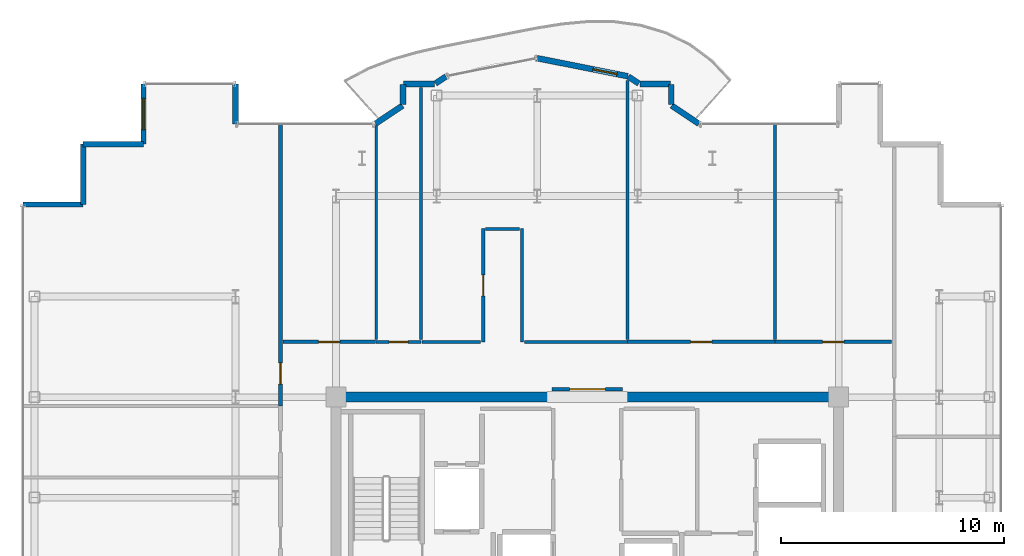
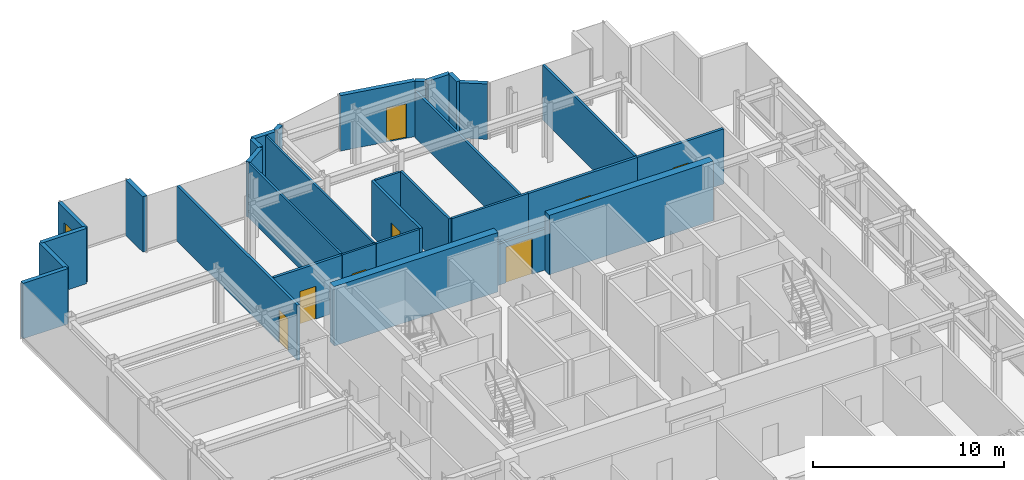
# One storey, part 16 of 18: 31 walls, 8 doors, 1 window, 9 openings.
"""IFC4 building model written with IfcOpenShell, lengths in metres."""

from ifc_helpers import new_model, si_unit, direction, frame, frame_2d, origin, place, context, subcontext, project, spatial, rectangle, extrude, source, transform, mapped, material, layer, layer_set, type_object, element, fill, save


model = new_model("IFC4")

# Units and contexts
model_context = context("Model", 3, precision=1e-05, world=origin(), true_north=direction((0.0, 1.0)))
body_context = subcontext(model_context, "Body", "Model", "MODEL_VIEW")
ifc_project = project(units=[si_unit("LENGTHUNIT", "METRE"), si_unit("AREAUNIT", "SQUARE_METRE"), si_unit("VOLUMEUNIT", "CUBIC_METRE"), si_unit("PLANEANGLEUNIT", "RADIAN"), si_unit("MASSUNIT", "GRAM", prefix="KILO")], contexts=[model_context])

# Site, building, storey
site_placement = place(None, origin())
site = spatial("IfcSite", under=ifc_project, at=site_placement, CompositionType="ELEMENT")
building_placement = place(site_placement, origin())
building = spatial("IfcBuilding", under=site, at=building_placement, Name="Nefas-Gora Pilgrimage Tower", CompositionType="ELEMENT")
storey_placement = place(building_placement, frame((0.0, 0.0, 302.60009765625)))
storey = spatial("IfcBuildingStorey", under=building, at=storey_placement, Name="L76", CompositionType="ELEMENT", Elevation=302.60009765625)

# Walls
ifc_material_1 = material(Name="Concrete C50/60", Category="concrete")
ifc_layer_1 = layer(ifc_material_1, 0.449951171875)
ifc_layer_set_1 = layer_set([ifc_layer_1], Name="Concrete C50/60")
wall_type_1 = type_object("IfcWallType", Name="SW-CORE-450", PredefinedType="SHEAR", material=ifc_layer_set_1)
shared_shape_1 = source(origin(), body_context, "Body", "SweptSolid", [
    extrude(rectangle(XDim=9.925048828125, YDim=0.449951171875, at=frame_2d((4.96240234375, 0.0))), origin(), (0.0, 0.0, 1.0), 3.7998046875),
])
for number, where, z_axis, x_axis, name in (
    (1, (-11.47509765625, 9.0, 0.0), (0.0, 0.0, 1.0), (1.0, 0.0, 0.0), "L76 Core Shear Wall N-West"),
    (2, (1.550048828125, 9.0, 0.0), (0.0, 0.0, 1.0), (1.0, 0.0, 0.0), "L76 Core Shear Wall N-East"),
):
    element("IfcWall", number, at=place(storey_placement, frame(where, z_axis=z_axis, x_axis=x_axis)), inside=storey, type_object=wall_type_1, Name=name, PredefinedType="SHEAR", context=body_context, shape_type="MappedRepresentation", body=[
        mapped(shared_shape_1, transform((0.0, 0.0, 0.0), x_axis=(1.0, 0.0, 0.0), y_axis=(0.0, 1.0, 0.0), z_axis=(0.0, 0.0, 1.0), scale=1.0)),
    ])
ifc_material_2 = material(Name="Precast concrete C40/50", Category="concrete")
ifc_layer_2 = layer(ifc_material_2, 0.260009765625)
ifc_layer_set_2 = layer_set([ifc_layer_2], Name="Precast concrete C40/50")
wall_type_2 = type_object("IfcWallType", Name="EW-PORTAL-260", PredefinedType="SOLIDWALL", material=ifc_layer_set_2)
shared_shape_2 = source(origin(), body_context, "Body", "SweptSolid", [
    extrude(rectangle(XDim=1.800048828125, YDim=0.260009765625, at=frame_2d((0.89990234375, 0.0))), origin(), (0.0, 0.0, 1.0), 3.5498046875),
])
wall_1_placement = place(storey_placement, frame((-15.75, 21.219970703125, 0.0), z_axis=(0.0, 0.0, 1.0), x_axis=(0.0, 1.0, 0.0)))
element("IfcWall", 3, at=wall_1_placement, inside=storey, type_object=wall_type_2, Name="L76 Lobe Shoulder Precast Spandrel Pier 16", PredefinedType="SOLIDWALL", context=body_context, shape_type="MappedRepresentation", body=[
    mapped(shared_shape_2, transform((0.0, 0.0, 0.0), x_axis=(1.0, 0.0, 0.0), y_axis=(0.0, 1.0, 0.0), z_axis=(0.0, 0.0, 1.0), scale=1.0)),
])

# Wall, opening, window
ifc_material_3 = material(Name="Precast concrete C45/55", Category="concrete")
ifc_layer_3 = layer(ifc_material_3, 0.239990234375)
ifc_layer_set_3 = layer_set([ifc_layer_3], Name="Precast concrete C45/55")
wall_type_3 = type_object("IfcWallType", Name="EW-SERR-240", PredefinedType="SHEAR", material=ifc_layer_set_3)
shared_shape_3 = source(origin(), body_context, "Body", "SweptSolid", [
    extrude(rectangle(XDim=2.699951171875, YDim=0.239990234375, at=frame_2d((1.35009765625, 0.0))), origin(), (0.0, 0.0, 1.0), 3.5498046875),
])
wall_2_placement = place(storey_placement, frame((-19.8701171875, 23.02001953125, 0.0), z_axis=(0.0, 0.0, 1.0), x_axis=(0.0, -1.0, 0.0)))
wall_2 = element("IfcWall", 4, at=wall_2_placement, inside=storey, type_object=wall_type_3, Name="L76 Serrated Corner Shear Pier Wall 17", PredefinedType="SHEAR", context=body_context, shape_type="MappedRepresentation", body=[
    mapped(shared_shape_3, transform((0.0, 0.0, 0.0), x_axis=(1.0, 0.0, 0.0), y_axis=(0.0, 1.0, 0.0), z_axis=(0.0, 0.0, 1.0), scale=1.0)),
])
opening_1_placement = place(wall_2_placement, frame((0.64990234375, 0.0, 0.85009765625)))
opening_1 = element("IfcOpeningElement", 5, at=opening_1_placement, cuts=wall_2, Name="Opening W-V2", PredefinedType="OPENING", context=body_context, shape_type="SweptSolid", body=[
    extrude(rectangle(XDim=1.39990234375, YDim=1.800048828125, at=frame_2d((0.699951171875, 0.89990234375))), frame((0.0, 0.1298828125, 0.0), z_axis=(0.0, -1.0, 0.0), x_axis=(1.0, 0.0, 0.0)), (0.0, 0.0, 1.0), 0.260009765625),
])
ifc_material_4 = material(Name="Dark ceramic-fritted operable aluminium-glass window", Category="aluminium")
window_type = type_object("IfcWindowType", Name="WIN-VENT-1400x1800", PartitioningType="SINGLE_PANEL", PredefinedType="WINDOW", material=ifc_material_4)
shared_shape_4 = source(origin(), body_context, "Body", "SweptSolid", [
    extrude(rectangle(XDim=1.39990234375, YDim=1.800048828125, at=frame_2d((0.699951171875, 0.89990234375))), frame((0.0, 0.030029296875, 0.0), z_axis=(0.0, -1.0, 0.0), x_axis=(1.0, 0.0, 0.0)), (0.0, 0.0, 1.0), 0.06005859375),
])
window_placement = place(opening_1_placement, origin())
window = element("IfcWindow", 6, at=window_placement, inside=storey, type_object=window_type, Name="L76 Operable Parallel-Outswing Window 17", OverallHeight=1.800048828125, OverallWidth=1.39990234375, PartitioningType="SINGLE_PANEL", PredefinedType="WINDOW", context=body_context, shape_type="MappedRepresentation", body=[
    mapped(shared_shape_4, transform((0.0, 0.0, 0.0), x_axis=(1.0, 0.0, 0.0), y_axis=(0.0, 1.0, 0.0), z_axis=(0.0, 0.0, 1.0), scale=1.0)),
])
fill(opening_1, window)

# Walls
for number, where, z_axis, x_axis, name in (
    (7, (-19.8701171875, 20.320068359375, 0.0), (0.0, 0.0, 1.0), (-1.0, 0.0, 0.0), "L76 Serrated Corner Shear Pier Wall 18"),
    (8, (-22.570068359375, 20.320068359375, 0.0), (0.0, 0.0, 1.0), (0.0, -1.0, 0.0), "L76 Serrated Corner Shear Pier Wall 19"),
    (9, (-22.570068359375, 17.6201171875, 0.0), (0.0, 0.0, 1.0), (-1.0, 0.0, 0.0), "L76 Serrated Corner Shear Pier Wall 20"),
):
    element("IfcWall", number, at=place(storey_placement, frame(where, z_axis=z_axis, x_axis=x_axis)), inside=storey, type_object=wall_type_3, Name=name, PredefinedType="SHEAR", context=body_context, shape_type="MappedRepresentation", body=[
        mapped(shared_shape_3, transform((0.0, 0.0, 0.0), x_axis=(1.0, 0.0, 0.0), y_axis=(0.0, 1.0, 0.0), z_axis=(0.0, 0.0, 1.0), scale=1.0)),
    ])
shared_shape_5 = source(origin(), body_context, "Body", "SweptSolid", [
    extrude(rectangle(XDim=1.468994140625, YDim=0.260009765625, at=frame_2d((0.734375, 0.0))), origin(), (0.0, 0.0, 1.0), 3.5498046875),
])
for number, where, z_axis, x_axis, name in (
    (10, (4.99462890625, 21.235595703125, 0.0), (0.0, 0.0, 1.0), (-0.831461760506, 0.555581983884, 0.0), "L76 Lobe Shoulder Precast Spandrel Pier 7"),
    (11, (-8.273193359375, 22.0517578125, 0.0), (0.0, 0.0, 1.0), (-0.831461760506, -0.555581983884, 0.0), "L76 Lobe Shoulder Precast Spandrel Pier 15"),
):
    element("IfcWall", number, at=place(storey_placement, frame(where, z_axis=z_axis, x_axis=x_axis)), inside=storey, type_object=wall_type_2, Name=name, PredefinedType="SOLIDWALL", context=body_context, shape_type="MappedRepresentation", body=[
        mapped(shared_shape_5, transform((0.0, 0.0, 0.0), x_axis=(1.0, 0.0, 0.0), y_axis=(0.0, 1.0, 0.0), z_axis=(0.0, 0.0, 1.0), scale=1.0)),
    ])
shared_shape_6 = source(origin(), body_context, "Body", "SweptSolid", [
    extrude(rectangle(XDim=0.896728515625, YDim=0.260009765625, at=frame_2d((0.4482421875, 0.0))), origin(), (0.0, 0.0, 1.0), 3.5498046875),
])
for number, where, z_axis, x_axis, name in (
    (12, (3.75, 22.09521484375, 0.0), (0.0, 0.0, 1.0), (0.0, 1.0, 0.0), "L76 Lobe Shoulder Precast Spandrel Pier 8"),
    (13, (-8.25, 22.991943359375, 0.0), (0.0, 0.0, 1.0), (0.0, -1.0, 0.0), "L76 Lobe Shoulder Precast Spandrel Pier 14"),
):
    element("IfcWall", number, at=place(storey_placement, frame(where, z_axis=z_axis, x_axis=x_axis)), inside=storey, type_object=wall_type_2, Name=name, PredefinedType="SOLIDWALL", context=body_context, shape_type="MappedRepresentation", body=[
        mapped(shared_shape_6, transform((0.0, 0.0, 0.0), x_axis=(1.0, 0.0, 0.0), y_axis=(0.0, 1.0, 0.0), z_axis=(0.0, 0.0, 1.0), scale=1.0)),
    ])
shared_shape_7 = source(origin(), body_context, "Body", "SweptSolid", [
    extrude(rectangle(XDim=1.369873046875, YDim=0.260009765625, at=frame_2d((0.68505859375, 0.0))), origin(), (0.0, 0.0, 1.0), 3.5498046875),
])
for number, where, z_axis, x_axis, name in (
    (14, (3.721923828125, 23.02001953125, 0.0), (0.0, 0.0, 1.0), (-1.0, 0.0, 0.0), "L76 Lobe Shoulder Precast Spandrel Pier 9"),
    (15, (-6.85205078125, 23.02001953125, 0.0), (0.0, 0.0, 1.0), (-1.0, 0.0, 0.0), "L76 Lobe Shoulder Precast Spandrel Pier 13"),
):
    element("IfcWall", number, at=place(storey_placement, frame(where, z_axis=z_axis, x_axis=x_axis)), inside=storey, type_object=wall_type_2, Name=name, PredefinedType="SOLIDWALL", context=body_context, shape_type="MappedRepresentation", body=[
        mapped(shared_shape_7, transform((0.0, 0.0, 0.0), x_axis=(1.0, 0.0, 0.0), y_axis=(0.0, 1.0, 0.0), z_axis=(0.0, 0.0, 1.0), scale=1.0)),
    ])
shared_shape_8 = source(origin(), body_context, "Body", "SweptSolid", [
    extrude(rectangle(XDim=0.5654296875, YDim=0.260009765625, at=frame_2d((0.28271484375, 0.0))), origin(), (0.0, 0.0, 1.0), 3.5498046875),
])
for number, where, z_axis, x_axis, name in (
    (16, (2.30078125, 23.03564453125, 0.0), (0.0, 0.0, 1.0), (-0.831651492666, 0.555297933317, 0.0), "L76 Lobe Shoulder Precast Spandrel Pier 10"),
    (17, (-6.33056640625, 23.349609375, 0.0), (0.0, 0.0, 1.0), (-0.831651492666, -0.555297933317, 0.0), "L76 Lobe Shoulder Precast Spandrel Pier 12"),
):
    element("IfcWall", number, at=place(storey_placement, frame(where, z_axis=z_axis, x_axis=x_axis)), inside=storey, type_object=wall_type_2, Name=name, PredefinedType="SOLIDWALL", context=body_context, shape_type="MappedRepresentation", body=[
        mapped(shared_shape_8, transform((0.0, 0.0, 0.0), x_axis=(1.0, 0.0, 0.0), y_axis=(0.0, 1.0, 0.0), z_axis=(0.0, 0.0, 1.0), scale=1.0)),
    ])

# Wall, opening, door
shared_shape_9 = source(origin(), body_context, "Body", "SweptSolid", [
    extrude(rectangle(XDim=4.136962890625, YDim=0.260009765625, at=frame_2d((2.068359375, 0.0))), origin(), (0.0, 0.0, 1.0), 3.5498046875),
])
wall_3_placement = place(storey_placement, frame((1.807373046875, 23.365234375, 0.0), z_axis=(0.0, 0.0, 1.0), x_axis=(-0.980782170794, 0.195105954428, 0.0)))
wall_3 = element("IfcWall", 18, at=wall_3_placement, inside=storey, type_object=wall_type_2, Name="L76 Insulated Terrace Portal Wall 11", PredefinedType="SOLIDWALL", context=body_context, shape_type="MappedRepresentation", body=[
    mapped(shared_shape_9, transform((0.0, 0.0, 0.0), x_axis=(1.0, 0.0, 0.0), y_axis=(0.0, 1.0, 0.0), z_axis=(0.0, 0.0, 1.0), scale=1.0)),
])
opening_2_placement = place(wall_3_placement, frame((0.48779296875, 0.0, 0.0)))
opening_2 = element("IfcOpeningElement", 19, at=opening_2_placement, cuts=wall_3, Name="Opening ED-B1", PredefinedType="OPENING", context=body_context, shape_type="SweptSolid", body=[
    extrude(rectangle(XDim=1.10009765625, YDim=2.199951171875, at=frame_2d((0.550048828125, 1.10009765625))), frame((0.0, 0.139892578125, 0.0), z_axis=(0.0, -1.0, 0.0), x_axis=(1.0, 0.0, 0.0)), (0.0, 0.0, 1.0), 0.280029296875),
])
ifc_material_5 = material(Name="Thermally broken glazed aluminium balcony door", Category="aluminium")
door_type_1 = type_object("IfcDoorType", Name="DR-EXT-BAL-1100", OperationType="NOTDEFINED", PredefinedType="DOOR", material=ifc_material_5)
shared_shape_10 = source(origin(), body_context, "Body", "SweptSolid", [
    extrude(rectangle(XDim=1.10009765625, YDim=2.199951171875, at=frame_2d((0.550048828125, 1.10009765625))), frame((0.0, 0.02490234375, 0.0), z_axis=(0.0, -1.0, 0.0), x_axis=(1.0, 0.0, 0.0)), (0.0, 0.0, 1.0), 0.050048828125),
])
door_1_placement = place(opening_2_placement, origin())
door_1 = element("IfcDoor", 20, at=door_1_placement, inside=storey, type_object=door_type_1, Name="L76 Exterior Door (L76 N Lobe Wave Balcony)", OperationType="SINGLE_SWING_RIGHT", OverallHeight=2.199951171875, OverallWidth=1.10009765625, PredefinedType="DOOR", context=body_context, shape_type="MappedRepresentation", body=[
    mapped(shared_shape_10, transform((0.0, 0.0, 0.0), x_axis=(1.0, 0.0, 0.0), y_axis=(0.0, 1.0, 0.0), z_axis=(0.0, 0.0, 1.0), scale=1.0)),
])
fill(opening_2, door_1)

ifc_material_6 = material(Name="Moisture-resistant fire-rated gypsum partition")
ifc_layer_4 = layer(ifc_material_6, 0.1201171875)
ifc_layer_set_4 = layer_set([ifc_layer_4], Name="Moisture-resistant fire-rated gypsum partition")
wall_type_4 = type_object("IfcWallType", Name="IW-WET-120", PredefinedType="PLUMBINGWALL", material=ifc_layer_set_4)
shared_shape_11 = source(origin(), body_context, "Body", "SweptSolid", [
    extrude(rectangle(XDim=2.02001953125, YDim=0.1201171875, at=frame_2d((1.010009765625, 0.0))), origin(), (0.0, 0.0, 1.0), 3.534912109375),
])
wall_4_placement = place(storey_placement, frame((-9.4599609375, 11.469970703125, 0.0), z_axis=(0.0, 0.0, 1.0), x_axis=(1.0, 0.0, 0.0)))
wall_4 = element("IfcWall", 21, at=wall_4_placement, inside=storey, type_object=wall_type_4, Name="L76 Accessible Unisex WC Partition Wall 34", PredefinedType="PLUMBINGWALL", context=body_context, shape_type="MappedRepresentation", body=[
    mapped(shared_shape_11, transform((0.0, 0.0, 0.0), x_axis=(1.0, 0.0, 0.0), y_axis=(0.0, 1.0, 0.0), z_axis=(0.0, 0.0, 1.0), scale=1.0)),
])
opening_3_placement = place(wall_4_placement, frame((0.5849609375, 0.0, 0.0)))
opening_3 = element("IfcOpeningElement", 22, at=opening_3_placement, cuts=wall_4, Name="Opening ID-BT1", PredefinedType="OPENING", context=body_context, shape_type="SweptSolid", body=[
    extrude(rectangle(XDim=0.85009765625, YDim=2.10009765625, at=frame_2d((0.425048828125, 1.050048828125))), frame((0.0, 0.070068359375, 0.0), z_axis=(0.0, -1.0, 0.0), x_axis=(1.0, 0.0, 0.0)), (0.0, 0.0, 1.0), 0.14013671875),
])
ifc_material_7 = material(Name="Moisture-resistant fire-rated timber door", Category="wood")
door_type_2 = type_object("IfcDoorType", Name="DR-INT-BATH-850", OperationType="NOTDEFINED", PredefinedType="DOOR", material=ifc_material_7)
shared_shape_12 = source(origin(), body_context, "Body", "SweptSolid", [
    extrude(rectangle(XDim=0.85009765625, YDim=2.10009765625, at=frame_2d((0.425048828125, 1.050048828125))), frame((0.0, 0.02490234375, 0.0), z_axis=(0.0, -1.0, 0.0), x_axis=(1.0, 0.0, 0.0)), (0.0, 0.0, 1.0), 0.050048828125),
])
door_2_placement = place(opening_3_placement, origin())
door_2 = element("IfcDoor", 23, at=door_2_placement, inside=storey, type_object=door_type_2, Name="L76 Accessible Unisex WC Door 14", OperationType="SINGLE_SWING_LEFT", OverallHeight=2.10009765625, OverallWidth=0.85009765625, PredefinedType="DOOR", context=body_context, shape_type="MappedRepresentation", body=[
    mapped(shared_shape_12, transform((0.0, 0.0, 0.0), x_axis=(1.0, 0.0, 0.0), y_axis=(0.0, 1.0, 0.0), z_axis=(0.0, 0.0, 1.0), scale=1.0)),
])
fill(opening_3, door_2)

# Walls
shared_shape_13 = source(origin(), body_context, "Body", "SweptSolid", [
    extrude(rectangle(XDim=11.280029296875, YDim=0.1201171875, at=frame_2d((5.64013671875, 0.0))), origin(), (0.0, 0.0, 1.0), 3.534912109375),
])
wall_5_placement = place(storey_placement, frame((-7.449951171875, 11.570068359375, 0.0), z_axis=(0.0, 0.0, 1.0), x_axis=(0.0, 1.0, 0.0)))
element("IfcWall", 24, at=wall_5_placement, inside=storey, type_object=wall_type_4, Name="L76 Accessible Unisex WC Partition Wall 35", PredefinedType="PLUMBINGWALL", context=body_context, shape_type="MappedRepresentation", body=[
    mapped(shared_shape_13, transform((0.0, 0.0, 0.0), x_axis=(1.0, 0.0, 0.0), y_axis=(0.0, 1.0, 0.0), z_axis=(0.0, 0.0, 1.0), scale=1.0)),
])
shared_shape_14 = source(origin(), body_context, "Body", "SweptSolid", [
    extrude(rectangle(XDim=9.586669921875, YDim=0.1201171875, at=frame_2d((4.79345703125, 0.0))), origin(), (0.0, 0.0, 1.0), 3.534912109375),
])
wall_6_placement = place(storey_placement, frame((-9.449951171875, 11.570068359375, 0.0), z_axis=(0.0, 0.0, 1.0), x_axis=(0.0, 1.0, 0.0)))
element("IfcWall", 25, at=wall_6_placement, inside=storey, type_object=wall_type_4, Name="L76 Accessible Unisex WC Partition Wall 36", PredefinedType="PLUMBINGWALL", context=body_context, shape_type="MappedRepresentation", body=[
    mapped(shared_shape_14, transform((0.0, 0.0, 0.0), x_axis=(1.0, 0.0, 0.0), y_axis=(0.0, 1.0, 0.0), z_axis=(0.0, 0.0, 1.0), scale=1.0)),
])

# Wall, opening, door
ifc_material_8 = material(Name="Gypsum acoustic stud partition")
ifc_layer_5 = layer(ifc_material_8, 0.159912109375)
ifc_layer_set_5 = layer_set([ifc_layer_5], Name="Gypsum acoustic stud partition")
wall_type_5 = type_object("IfcWallType", Name="IW-CORR-160", PredefinedType="PARTITIONING", material=ifc_layer_set_5)
shared_shape_15 = source(origin(), body_context, "Body", "SweptSolid", [
    extrude(rectangle(XDim=4.125, YDim=0.159912109375, at=frame_2d((2.0625, 0.0))), origin(), (0.0, 0.0, 1.0), 3.534912109375),
])
wall_7_placement = place(storey_placement, frame((-13.6201171875, 11.469970703125, 0.0), z_axis=(0.0, 0.0, 1.0), x_axis=(1.0, 0.0, 0.0)))
wall_7 = element("IfcWall", 26, at=wall_7_placement, inside=storey, type_object=wall_type_5, Name="L76 Pilgrim Contemplative Lounge Partition Wall 53", PredefinedType="PARTITIONING", context=body_context, shape_type="MappedRepresentation", body=[
    mapped(shared_shape_15, transform((0.0, 0.0, 0.0), x_axis=(1.0, 0.0, 0.0), y_axis=(0.0, 1.0, 0.0), z_axis=(0.0, 0.0, 1.0), scale=1.0)),
])
opening_4_placement = place(wall_7_placement, frame((1.58740234375, 0.0, 0.0)))
opening_4 = element("IfcOpeningElement", 27, at=opening_4_placement, cuts=wall_7, Name="Opening ID-GR1", PredefinedType="OPENING", context=body_context, shape_type="SweptSolid", body=[
    extrude(rectangle(XDim=0.949951171875, YDim=2.10009765625, at=frame_2d((0.47509765625, 1.050048828125))), frame((0.0, 0.08984375, 0.0), z_axis=(0.0, -1.0, 0.0), x_axis=(1.0, 0.0, 0.0)), (0.0, 0.0, 1.0), 0.179931640625),
])
ifc_material_9 = material(Name="Solid core oak fire-rated guest entrance door")
door_type_3 = type_object("IfcDoorType", Name="DR-INT-GUEST-950", OperationType="NOTDEFINED", PredefinedType="DOOR", material=ifc_material_9)
shared_shape_16 = source(origin(), body_context, "Body", "SweptSolid", [
    extrude(rectangle(XDim=0.949951171875, YDim=2.10009765625, at=frame_2d((0.47509765625, 1.050048828125))), frame((0.0, 0.02490234375, 0.0), z_axis=(0.0, -1.0, 0.0), x_axis=(1.0, 0.0, 0.0)), (0.0, 0.0, 1.0), 0.050048828125),
])
door_3_placement = place(opening_4_placement, origin())
door_3 = element("IfcDoor", 28, at=door_3_placement, inside=storey, type_object=door_type_3, Name="L76 Pilgrim Contemplative Lounge Door 24", OperationType="SINGLE_SWING_LEFT", OverallHeight=2.10009765625, OverallWidth=0.949951171875, PredefinedType="DOOR", context=body_context, shape_type="MappedRepresentation", body=[
    mapped(shared_shape_16, transform((0.0, 0.0, 0.0), x_axis=(1.0, 0.0, 0.0), y_axis=(0.0, 1.0, 0.0), z_axis=(0.0, 0.0, 1.0), scale=1.0)),
])
fill(opening_4, door_3)

# Wall
ifc_material_10 = material(Name="Gypsum twin-stud partition")
ifc_layer_6 = layer(ifc_material_10, 0.139892578125)
ifc_layer_set_6 = layer_set([ifc_layer_6], Name="Gypsum twin-stud partition")
wall_type_6 = type_object("IfcWallType", Name="IW-UNIT-140", PredefinedType="PARTITIONING", material=ifc_layer_set_6)
shared_shape_17 = source(origin(), body_context, "Body", "SweptSolid", [
    extrude(rectangle(XDim=9.64990234375, YDim=0.139892578125, at=frame_2d((4.824951171875, 0.0))), origin(), (0.0, 0.0, 1.0), 3.534912109375),
])
wall_8_placement = place(storey_placement, frame((8.39501953125, 11.590087890625, 0.0), z_axis=(0.0, 0.0, 1.0), x_axis=(0.0, 1.0, 0.0)))
element("IfcWall", 29, at=wall_8_placement, inside=storey, type_object=wall_type_6, Name="L76 Pilgrim Contemplative Lounge Partition Wall 61", PredefinedType="PARTITIONING", context=body_context, shape_type="MappedRepresentation", body=[
    mapped(shared_shape_17, transform((0.0, 0.0, 0.0), x_axis=(1.0, 0.0, 0.0), y_axis=(0.0, 1.0, 0.0), z_axis=(0.0, 0.0, 1.0), scale=1.0)),
])

# Wall, opening, door
shared_shape_18 = source(origin(), body_context, "Body", "SweptSolid", [
    extrude(rectangle(XDim=5.22509765625, YDim=0.159912109375, at=frame_2d((2.612548828125, 0.0))), origin(), (0.0, 0.0, 1.0), 3.534912109375),
])
wall_9_placement = place(storey_placement, frame((8.39501953125, 11.469970703125, 0.0), z_axis=(0.0, 0.0, 1.0), x_axis=(1.0, 0.0, 0.0)))
wall_9 = element("IfcWall", 30, at=wall_9_placement, inside=storey, type_object=wall_type_5, Name="L76 Pilgrim Contemplative Lounge Partition Wall 62", PredefinedType="PARTITIONING", context=body_context, shape_type="MappedRepresentation", body=[
    mapped(shared_shape_18, transform((0.0, 0.0, 0.0), x_axis=(1.0, 0.0, 0.0), y_axis=(0.0, 1.0, 0.0), z_axis=(0.0, 0.0, 1.0), scale=1.0)),
])
opening_5_placement = place(wall_9_placement, frame((2.137451171875, 0.0, 0.0)))
opening_5 = element("IfcOpeningElement", 31, at=opening_5_placement, cuts=wall_9, Name="Opening ID-GR1", PredefinedType="OPENING", context=body_context, shape_type="SweptSolid", body=[
    extrude(rectangle(XDim=0.949951171875, YDim=2.10009765625, at=frame_2d((0.47509765625, 1.050048828125))), frame((0.0, 0.08984375, 0.0), z_axis=(0.0, -1.0, 0.0), x_axis=(1.0, 0.0, 0.0)), (0.0, 0.0, 1.0), 0.179931640625),
])
door_4_placement = place(opening_5_placement, origin())
door_4 = element("IfcDoor", 32, at=door_4_placement, inside=storey, type_object=door_type_3, Name="L76 Pilgrim Contemplative Lounge Door 27", OperationType="SINGLE_SWING_RIGHT", OverallHeight=2.10009765625, OverallWidth=0.949951171875, PredefinedType="DOOR", context=body_context, shape_type="MappedRepresentation", body=[
    mapped(shared_shape_16, transform((0.0, 0.0, 0.0), x_axis=(1.0, 0.0, 0.0), y_axis=(0.0, 1.0, 0.0), z_axis=(0.0, 0.0, 1.0), scale=1.0)),
])
fill(opening_5, door_4)

shared_shape_19 = source(origin(), body_context, "Body", "SweptSolid", [
    extrude(rectangle(XDim=12.64501953125, YDim=0.159912109375, at=frame_2d((6.322509765625, 0.0))), origin(), (0.0, 0.0, 1.0), 3.534912109375),
])
wall_10_placement = place(storey_placement, frame((-13.739990234375, 8.594970703125, 0.0), z_axis=(0.0, 0.0, 1.0), x_axis=(0.0, 1.0, 0.0)))
wall_10 = element("IfcWall", 33, at=wall_10_placement, inside=storey, type_object=wall_type_5, Name="L76 Pilgrim Tea and Beverage Pantry Partition Wall 47", PredefinedType="PARTITIONING", context=body_context, shape_type="MappedRepresentation", body=[
    mapped(shared_shape_19, transform((0.0, 0.0, 0.0), x_axis=(1.0, 0.0, 0.0), y_axis=(0.0, 1.0, 0.0), z_axis=(0.0, 0.0, 1.0), scale=1.0)),
])
opening_6_placement = place(wall_10_placement, frame((0.982421875, 0.0, 0.0)))
opening_6 = element("IfcOpeningElement", 34, at=opening_6_placement, cuts=wall_10, Name="Opening ID-GR1", PredefinedType="OPENING", context=body_context, shape_type="SweptSolid", body=[
    extrude(rectangle(XDim=0.949951171875, YDim=2.10009765625, at=frame_2d((0.47509765625, 1.050048828125))), frame((0.0, 0.08984375, 0.0), z_axis=(0.0, -1.0, 0.0), x_axis=(1.0, 0.0, 0.0)), (0.0, 0.0, 1.0), 0.179931640625),
])
door_5_placement = place(opening_6_placement, origin())
door_5 = element("IfcDoor", 35, at=door_5_placement, inside=storey, type_object=door_type_3, Name="L76 Pilgrim Tea and Beverage Pantry Door 20", OperationType="SINGLE_SWING_LEFT", OverallHeight=2.10009765625, OverallWidth=0.949951171875, PredefinedType="DOOR", context=body_context, shape_type="MappedRepresentation", body=[
    mapped(shared_shape_16, transform((0.0, 0.0, 0.0), x_axis=(1.0, 0.0, 0.0), y_axis=(0.0, 1.0, 0.0), z_axis=(0.0, 0.0, 1.0), scale=1.0)),
])
fill(opening_6, door_5)

shared_shape_20 = source(origin(), body_context, "Body", "SweptSolid", [
    extrude(rectangle(XDim=6.610107421875, YDim=0.159912109375, at=frame_2d((3.30517578125, 0.0))), origin(), (0.0, 0.0, 1.0), 3.534912109375),
])
wall_11_placement = place(storey_placement, frame((1.794921875, 11.469970703125, 0.0), z_axis=(0.0, 0.0, 1.0), x_axis=(1.0, 0.0, 0.0)))
wall_11 = element("IfcWall", 36, at=wall_11_placement, inside=storey, type_object=wall_type_5, Name="L76 Pilgrim Contemplative Lounge Partition Wall 60", PredefinedType="PARTITIONING", context=body_context, shape_type="MappedRepresentation", body=[
    mapped(shared_shape_20, transform((0.0, 0.0, 0.0), x_axis=(1.0, 0.0, 0.0), y_axis=(0.0, 1.0, 0.0), z_axis=(0.0, 0.0, 1.0), scale=1.0)),
])
opening_7_placement = place(wall_11_placement, frame((2.830078125, 0.0, 0.0)))
opening_7 = element("IfcOpeningElement", 37, at=opening_7_placement, cuts=wall_11, Name="Opening ID-GR1", PredefinedType="OPENING", context=body_context, shape_type="SweptSolid", body=[
    extrude(rectangle(XDim=0.949951171875, YDim=2.10009765625, at=frame_2d((0.47509765625, 1.050048828125))), frame((0.0, 0.08984375, 0.0), z_axis=(0.0, -1.0, 0.0), x_axis=(1.0, 0.0, 0.0)), (0.0, 0.0, 1.0), 0.179931640625),
])
door_6_placement = place(opening_7_placement, origin())
door_6 = element("IfcDoor", 38, at=door_6_placement, inside=storey, type_object=door_type_3, Name="L76 Pilgrim Contemplative Lounge Door 26", OperationType="SINGLE_SWING_LEFT", OverallHeight=2.10009765625, OverallWidth=0.949951171875, PredefinedType="DOOR", context=body_context, shape_type="MappedRepresentation", body=[
    mapped(shared_shape_16, transform((0.0, 0.0, 0.0), x_axis=(1.0, 0.0, 0.0), y_axis=(0.0, 1.0, 0.0), z_axis=(0.0, 0.0, 1.0), scale=1.0)),
])
fill(opening_7, door_6)

# Wall
shared_shape_21 = source(origin(), body_context, "Body", "SweptSolid", [
    extrude(rectangle(XDim=1.510009765625, YDim=0.139892578125, at=frame_2d((0.7548828125, 0.0))), origin(), (0.0, 0.0, 1.0), 3.534912109375),
])
wall_12_placement = place(storey_placement, frame((-4.550048828125, 16.52001953125, 0.0), z_axis=(0.0, 0.0, 1.0), x_axis=(1.0, 0.0, 0.0)))
element("IfcWall", 39, at=wall_12_placement, inside=storey, type_object=wall_type_6, Name="L76 Pilgrim Contemplative Lounge Partition Wall 58", PredefinedType="PARTITIONING", context=body_context, shape_type="MappedRepresentation", body=[
    mapped(shared_shape_21, transform((0.0, 0.0, 0.0), x_axis=(1.0, 0.0, 0.0), y_axis=(0.0, 1.0, 0.0), z_axis=(0.0, 0.0, 1.0), scale=1.0)),
])

# Wall, opening, door
shared_shape_22 = source(origin(), body_context, "Body", "SweptSolid", [
    extrude(rectangle(XDim=3.16015625, YDim=0.159912109375, at=frame_2d((1.580078125, 0.0))), origin(), (0.0, 0.0, 1.0), 2.625),
])
wall_13_placement = place(storey_placement, frame((-1.580078125, 9.35009765625, 0.0), z_axis=(0.0, 0.0, 1.0), x_axis=(1.0, 0.0, 0.0)))
wall_13 = element("IfcWall", 40, at=wall_13_placement, inside=storey, type_object=wall_type_5, Name="L76 Central Lift Lobby North Portal Wall 16", PredefinedType="PARTITIONING", context=body_context, shape_type="MappedRepresentation", body=[
    mapped(shared_shape_22, transform((0.0, 0.0, 0.0), x_axis=(1.0, 0.0, 0.0), y_axis=(0.0, 1.0, 0.0), z_axis=(0.0, 0.0, 1.0), scale=1.0)),
])
opening_8_placement = place(wall_13_placement, frame((0.780029296875, 0.0, 0.0)))
opening_8 = element("IfcOpeningElement", 41, at=opening_8_placement, cuts=wall_13, Name="Opening ID-HL1", PredefinedType="OPENING", context=body_context, shape_type="SweptSolid", body=[
    extrude(rectangle(XDim=1.60009765625, YDim=2.300048828125, at=frame_2d((0.800048828125, 1.14990234375))), frame((0.0, 0.08984375, 0.0), z_axis=(0.0, -1.0, 0.0), x_axis=(1.0, 0.0, 0.0)), (0.0, 0.0, 1.0), 0.179931640625),
])
ifc_material_11 = material(Name="Double acoustic timber assembly hall door", Category="wood")
door_type_4 = type_object("IfcDoorType", Name="DR-INT-HALL-1600", OperationType="DOUBLE_DOOR_SINGLE_SWING", PredefinedType="DOOR", material=ifc_material_11)
shared_shape_23 = source(origin(), body_context, "Body", "SweptSolid", [
    extrude(rectangle(XDim=1.60009765625, YDim=2.300048828125, at=frame_2d((0.800048828125, 1.14990234375))), frame((0.0, 0.02490234375, 0.0), z_axis=(0.0, -1.0, 0.0), x_axis=(1.0, 0.0, 0.0)), (0.0, 0.0, 1.0), 0.050048828125),
])
door_7_placement = place(opening_8_placement, origin())
door_7 = element("IfcDoor", 42, at=door_7_placement, inside=storey, type_object=door_type_4, Name="L76 Central Lift Lobby North Portal Door 6", OperationType="DOUBLE_DOOR_SINGLE_SWING", OverallHeight=2.300048828125, OverallWidth=1.60009765625, PredefinedType="DOOR", context=body_context, shape_type="MappedRepresentation", body=[
    mapped(shared_shape_23, transform((0.0, 0.0, 0.0), x_axis=(1.0, 0.0, 0.0), y_axis=(0.0, 1.0, 0.0), z_axis=(0.0, 0.0, 1.0), scale=1.0)),
])
fill(opening_8, door_7)

shared_shape_24 = source(origin(), body_context, "Body", "SweptSolid", [
    extrude(rectangle(XDim=5.080078125, YDim=0.159912109375, at=frame_2d((2.5400390625, 0.0))), origin(), (0.0, 0.0, 1.0), 3.534912109375),
])
wall_14_placement = place(storey_placement, frame((-4.669921875, 11.4599609375, 0.0), z_axis=(0.0, 0.0, 1.0), x_axis=(0.0, 1.0, 0.0)))
wall_14 = element("IfcWall", 43, at=wall_14_placement, inside=storey, type_object=wall_type_5, Name="L76 Pilgrim Contemplative Lounge Partition Wall 54", PredefinedType="PARTITIONING", context=body_context, shape_type="MappedRepresentation", body=[
    mapped(shared_shape_24, transform((0.0, 0.0, 0.0), x_axis=(1.0, 0.0, 0.0), y_axis=(0.0, 1.0, 0.0), z_axis=(0.0, 0.0, 1.0), scale=1.0)),
])
opening_9_placement = place(wall_14_placement, frame((2.06494140625, 0.0, 0.0)))
opening_9 = element("IfcOpeningElement", 44, at=opening_9_placement, cuts=wall_14, Name="Opening ID-GR1", PredefinedType="OPENING", context=body_context, shape_type="SweptSolid", body=[
    extrude(rectangle(XDim=0.949951171875, YDim=2.10009765625, at=frame_2d((0.47509765625, 1.050048828125))), frame((0.0, 0.08984375, 0.0), z_axis=(0.0, -1.0, 0.0), x_axis=(1.0, 0.0, 0.0)), (0.0, 0.0, 1.0), 0.179931640625),
])
door_8_placement = place(opening_9_placement, origin())
door_8 = element("IfcDoor", 45, at=door_8_placement, inside=storey, type_object=door_type_3, Name="L76 Pilgrim Contemplative Lounge Door 25", OperationType="SINGLE_SWING_RIGHT", OverallHeight=2.10009765625, OverallWidth=0.949951171875, PredefinedType="DOOR", context=body_context, shape_type="MappedRepresentation", body=[
    mapped(shared_shape_16, transform((0.0, 0.0, 0.0), x_axis=(1.0, 0.0, 0.0), y_axis=(0.0, 1.0, 0.0), z_axis=(0.0, 0.0, 1.0), scale=1.0)),
])
fill(opening_9, door_8)

# Walls
shared_shape_25 = source(origin(), body_context, "Body", "SweptSolid", [
    extrude(rectangle(XDim=5.080078125, YDim=0.139892578125, at=frame_2d((2.5400390625, 0.0))), origin(), (0.0, 0.0, 1.0), 3.534912109375),
])
wall_15_placement = place(storey_placement, frame((-2.929931640625, 11.4599609375, 0.0), z_axis=(0.0, 0.0, 1.0), x_axis=(0.0, 1.0, 0.0)))
element("IfcWall", 46, at=wall_15_placement, inside=storey, type_object=wall_type_6, Name="L76 Pilgrim Contemplative Lounge Partition Wall 55", PredefinedType="PARTITIONING", context=body_context, shape_type="MappedRepresentation", body=[
    mapped(shared_shape_25, transform((0.0, 0.0, 0.0), x_axis=(1.0, 0.0, 0.0), y_axis=(0.0, 1.0, 0.0), z_axis=(0.0, 0.0, 1.0), scale=1.0)),
])
shared_shape_26 = source(origin(), body_context, "Body", "SweptSolid", [
    extrude(rectangle(XDim=4.625, YDim=0.139892578125, at=frame_2d((2.3125, 0.0))), origin(), (0.0, 0.0, 1.0), 3.534912109375),
])
wall_16_placement = place(storey_placement, frame((-2.820068359375, 11.469970703125, 0.0), z_axis=(0.0, 0.0, 1.0), x_axis=(1.0, 0.0, 0.0)))
element("IfcWall", 47, at=wall_16_placement, inside=storey, type_object=wall_type_6, Name="L76 Pilgrim Contemplative Lounge Partition Wall 56", PredefinedType="PARTITIONING", context=body_context, shape_type="MappedRepresentation", body=[
    mapped(shared_shape_26, transform((0.0, 0.0, 0.0), x_axis=(1.0, 0.0, 0.0), y_axis=(0.0, 1.0, 0.0), z_axis=(0.0, 0.0, 1.0), scale=1.0)),
])
shared_shape_27 = source(origin(), body_context, "Body", "SweptSolid", [
    extrude(rectangle(XDim=2.614990234375, YDim=0.139892578125, at=frame_2d((1.3076171875, 0.0))), origin(), (0.0, 0.0, 1.0), 3.534912109375),
])
wall_17_placement = place(storey_placement, frame((-7.405029296875, 11.469970703125, 0.0), z_axis=(0.0, 0.0, 1.0), x_axis=(1.0, 0.0, 0.0)))
element("IfcWall", 48, at=wall_17_placement, inside=storey, type_object=wall_type_6, Name="L76 Pilgrim Contemplative Lounge Partition Wall 57", PredefinedType="PARTITIONING", context=body_context, shape_type="MappedRepresentation", body=[
    mapped(shared_shape_27, transform((0.0, 0.0, 0.0), x_axis=(1.0, 0.0, 0.0), y_axis=(0.0, 1.0, 0.0), z_axis=(0.0, 0.0, 1.0), scale=1.0)),
])
shared_shape_28 = source(origin(), body_context, "Body", "SweptSolid", [
    extrude(rectangle(XDim=11.59130859375, YDim=0.139892578125, at=frame_2d((5.795654296875, 0.0))), origin(), (0.0, 0.0, 1.0), 2.974853515625),
])
wall_18_placement = place(storey_placement, frame((1.794921875, 11.580078125, 0.0), z_axis=(0.0, 0.0, 1.0), x_axis=(0.0, 1.0, 0.0)))
element("IfcWall", 49, at=wall_18_placement, inside=storey, type_object=wall_type_6, Name="L76 Pilgrim Contemplative Lounge Partition Wall 59", PredefinedType="PARTITIONING", context=body_context, shape_type="MappedRepresentation", body=[
    mapped(shared_shape_28, transform((0.0, 0.0, 0.0), x_axis=(1.0, 0.0, 0.0), y_axis=(0.0, 1.0, 0.0), z_axis=(0.0, 0.0, 1.0), scale=1.0)),
])

save(model, "model.ifc")
